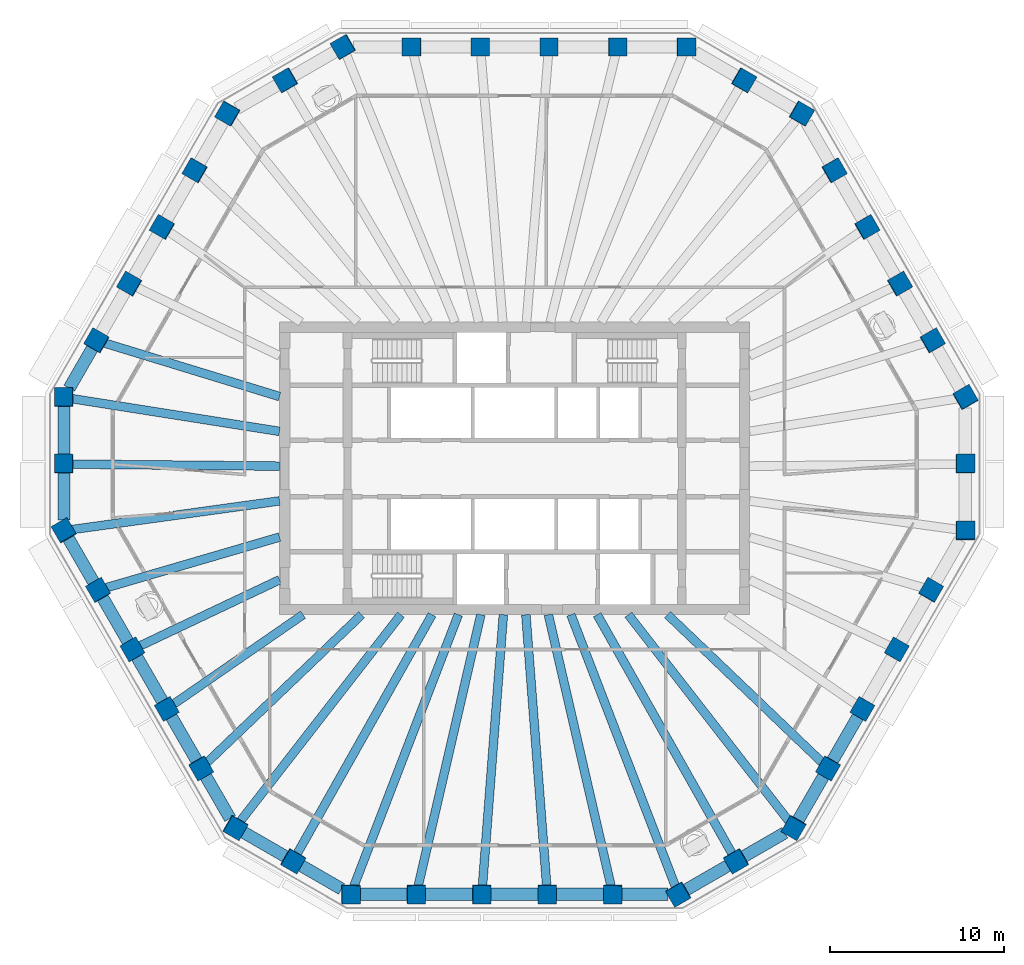
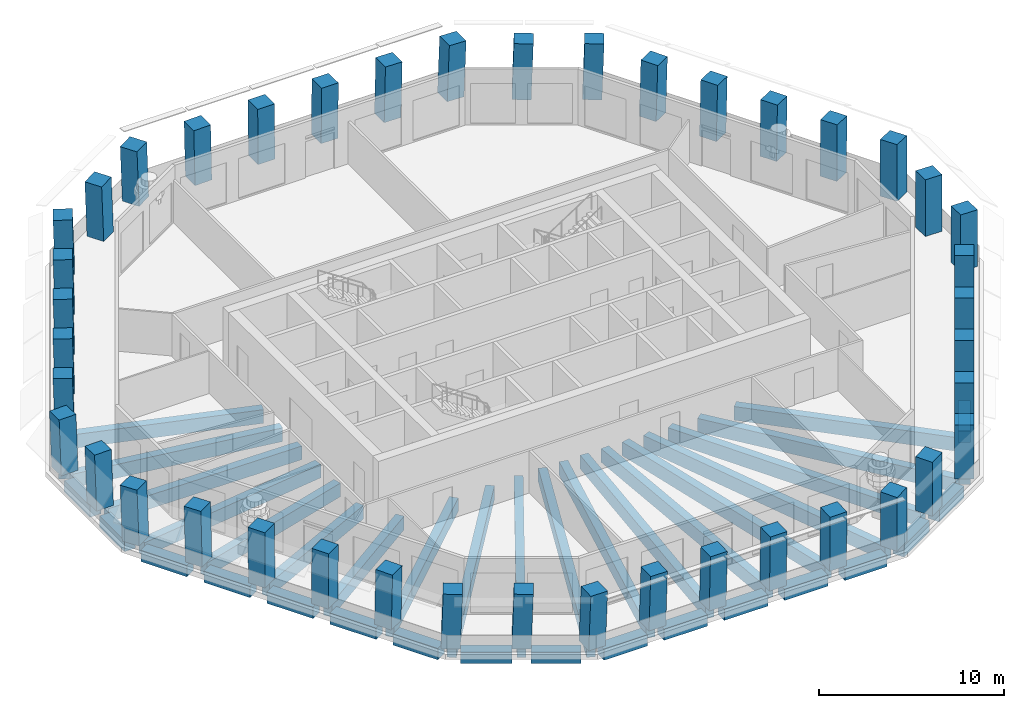
# One storey, part 1 of 12: 42 columns, 38 beams.
"""IFC4 building model written with IfcOpenShell, lengths in metres."""

from ifc_helpers import new_model, si_unit, direction, frame, origin, origin_2d, place, context, subcontext, project, spatial, rectangle, extrude, material, material_profile, profile_set, type_object, element, save


model = new_model("IFC4")

# Units and contexts
model_context = context("Model", 3, precision=1e-05, world=origin(), true_north=direction((0.0, 1.0)))
body_context = subcontext(model_context, "Body", "Model", "MODEL_VIEW")
ifc_project = project(units=[si_unit("LENGTHUNIT", "METRE"), si_unit("AREAUNIT", "SQUARE_METRE"), si_unit("VOLUMEUNIT", "CUBIC_METRE"), si_unit("PLANEANGLEUNIT", "RADIAN"), si_unit("MASSUNIT", "GRAM", prefix="KILO")], contexts=[model_context])

# Site, building, storey
site_placement = place(None, origin())
site = spatial("IfcSite", under=ifc_project, at=site_placement, CompositionType="ELEMENT")
building_placement = place(site_placement, origin())
building = spatial("IfcBuilding", under=site, at=building_placement, Name="Frailejon Research Tower", CompositionType="ELEMENT")
storey_placement = place(building_placement, frame((0.0, 0.0, 219.39990234375)))
storey = spatial("IfcBuildingStorey", under=building, at=storey_placement, Name="L47", CompositionType="ELEMENT", Elevation=219.39990234375)

# Columns
ifc_material_1 = material(Name="Concrete C60/75", Category="concrete")
ifc_material_profile_1 = material_profile(ifc_material_1, rectangle(XDim=1.050048828125, YDim=1.050048828125, at=origin_2d()), Name="Column 1050")
ifc_profile_set_1 = profile_set([ifc_material_profile_1], Name="Concrete C60/75")
column_type = type_object("IfcColumnType", Name="Column 1050", PredefinedType="COLUMN", material=ifc_profile_set_1)
for number, where, z_axis, x_axis, name in (
    (1, (25.87939453125, -3.5751953125, 0.0), (0.018180813073, 0.031348534306, 0.999343147989), (0.001220989704, 0.999506909957, -0.031375884554), "Column C01"),
    (2, (25.87939453125, 0.25146484375, 0.0), (0.018180774937, 0.031415309633, 0.999341051765), (0.000296666943, 0.999506040608, -0.031425893418), "Column C02"),
    (3, (25.87939453125, 4.078125, 0.0), (0.018180774937, 0.031415309633, 0.999341051765), (-0.49966041491, 0.866031531678, -0.018134384793), "Column C03"),
):
    element("IfcColumn", number, at=place(storey_placement, frame(where, z_axis=z_axis, x_axis=x_axis)), inside=storey, type_object=column_type, Name=name, PredefinedType="COLUMN", context=body_context, shape_type="SweptSolid", body=[
        extrude(rectangle(XDim=1.050048828125, YDim=1.050048828125, at=origin_2d()), origin(), (0.0, 0.0, 1.0), 3.652587890625),
    ])
column_1_placement = place(storey_placement, frame((23.997802734375, 7.337158203125, 0.0), z_axis=(0.021792492936, 0.025134899828, 0.999446508855), x_axis=(-0.500091534958, 0.865904297285, -0.010872194193)))
element("IfcColumn", 4, at=column_1_placement, inside=storey, type_object=column_type, Name="Column C04", PredefinedType="COLUMN", context=body_context, shape_type="SweptSolid", body=[
    extrude(rectangle(XDim=1.050048828125, YDim=1.050048828125, at=origin_2d()), origin(), (0.0, 0.0, 1.0), 3.652099609375),
])
column_2_placement = place(storey_placement, frame((22.1162109375, 10.59619140625, 0.0), z_axis=(0.025403639223, 0.018852174371, 0.999499500068), x_axis=(-0.500083888167, 0.865969385556, -0.003623268626)))
element("IfcColumn", 5, at=column_2_placement, inside=storey, type_object=column_type, Name="Column C05", PredefinedType="COLUMN", context=body_context, shape_type="SweptSolid", body=[
    extrude(rectangle(XDim=1.050048828125, YDim=1.050048828125, at=origin_2d()), origin(), (0.0, 0.0, 1.0), 3.65185546875),
])
for number, where, z_axis, x_axis, name in (
    (6, (20.234619140625, 13.855224609375, 0.0), (0.029080439829, 0.012568098133, 0.999498059492), (-0.499394170317, 0.866367268157, 0.00363583825), "Column C06"),
    (7, (18.35302734375, 17.1142578125, 0.0), (0.032688717128, 0.006283720675, 0.99944582776), (-0.499189907536, 0.866424302438, 0.010879538516), "Column C07"),
):
    element("IfcColumn", number, at=place(storey_placement, frame(where, z_axis=z_axis, x_axis=x_axis)), inside=storey, type_object=column_type, Name=name, PredefinedType="COLUMN", context=body_context, shape_type="SweptSolid", body=[
        extrude(rectangle(XDim=1.050048828125, YDim=1.050048828125, at=origin_2d()), origin(), (0.0, 0.0, 1.0), 3.652099609375),
    ])
for number, where, z_axis, x_axis, name in (
    (8, (16.471435546875, 20.373291015625, 0.0), (0.036294711627, 0.0, 0.999341129899), (-0.865312619905, 0.500246354177, 0.031426978303), "Column C08"),
    (9, (13.157470703125, 22.28662109375, 0.0), (0.036294711627, 0.0, 0.999341129899), (-0.865312619905, 0.500246354177, 0.031426978303), "Column C09"),
    (10, (9.843505859375, 24.199951171875, 0.0), (0.036227958345, 0.0, 0.999343552055), (-0.999343552055, 0.0, 0.036227958345), "Column C10"),
):
    element("IfcColumn", number, at=place(storey_placement, frame(where, z_axis=z_axis, x_axis=x_axis)), inside=storey, type_object=column_type, Name=name, PredefinedType="COLUMN", context=body_context, shape_type="SweptSolid", body=[
        extrude(rectangle(XDim=1.050048828125, YDim=1.050048828125, at=origin_2d()), origin(), (0.0, 0.0, 1.0), 3.652587890625),
    ])
column_3_placement = place(storey_placement, frame((5.906005859375, 24.199951171875, 0.0), z_axis=(0.021799380047, 0.0, 0.99976236528), x_axis=(-0.99976236528, 0.0, 0.021799380047)))
element("IfcColumn", 11, at=column_3_placement, inside=storey, type_object=column_type, Name="Column C11", PredefinedType="COLUMN", context=body_context, shape_type="SweptSolid", body=[
    extrude(rectangle(XDim=1.050048828125, YDim=1.050048828125, at=origin_2d()), origin(), (0.0, 0.0, 1.0), 3.651123046875),
])
for number, where, z_axis, x_axis, name in (
    (12, (1.96875, 24.199951171875, 0.0), (0.007223408626, 0.0, 0.999973910844), (-0.999973910844, 0.0, 0.007223408626), "Column C12"),
    (13, (-1.96875, 24.199951171875, 0.0), (-0.007223408626, 0.0, 0.999973910844), (-0.999973910844, 0.0, -0.007223408626), "Column C13"),
):
    element("IfcColumn", number, at=place(storey_placement, frame(where, z_axis=z_axis, x_axis=x_axis)), inside=storey, type_object=column_type, Name=name, PredefinedType="COLUMN", context=body_context, shape_type="SweptSolid", body=[
        extrude(rectangle(XDim=1.050048828125, YDim=1.050048828125, at=origin_2d()), origin(), (0.0, 0.0, 1.0), 3.650146484375),
    ])
column_4_placement = place(storey_placement, frame((-5.906005859375, 24.199951171875, 0.0), z_axis=(-0.021799380047, 0.0, 0.99976236528), x_axis=(-0.99976236528, 0.0, -0.021799380047)))
element("IfcColumn", 14, at=column_4_placement, inside=storey, type_object=column_type, Name="Column C14", PredefinedType="COLUMN", context=body_context, shape_type="SweptSolid", body=[
    extrude(rectangle(XDim=1.050048828125, YDim=1.050048828125, at=origin_2d()), origin(), (0.0, 0.0, 1.0), 3.651123046875),
])
for number, where, z_axis, x_axis, name in (
    (15, (-9.843505859375, 24.199951171875, 0.0), (-0.036227958345, 0.0, 0.999343552055), (-0.865314717209, -0.500246354177, -0.031369177763), "Column C15"),
    (16, (-13.157470703125, 22.28662109375, 0.0), (-0.036294711627, 0.0, 0.999341129899), (-0.865312619905, -0.500246354177, -0.031426978303), "Column C16"),
    (17, (-16.471435546875, 20.373291015625, 0.0), (-0.036294711627, 0.0, 0.999341129899), (-0.499424332648, -0.866167613071, -0.018138412991), "Column C17"),
):
    element("IfcColumn", number, at=place(storey_placement, frame(where, z_axis=z_axis, x_axis=x_axis)), inside=storey, type_object=column_type, Name=name, PredefinedType="COLUMN", context=body_context, shape_type="SweptSolid", body=[
        extrude(rectangle(XDim=1.050048828125, YDim=1.050048828125, at=origin_2d()), origin(), (0.0, 0.0, 1.0), 3.652587890625),
    ])
for number, where, z_axis, x_axis, name in (
    (18, (-18.35302734375, 17.1142578125, 0.0), (-0.032688717128, 0.006283720675, 0.99944582776), (-0.499189907536, -0.866424302438, -0.010879538516), "Column C18"),
    (19, (-20.234619140625, 13.855224609375, 0.0), (-0.029080439829, 0.012568098133, 0.999498059492), (-0.499394170317, -0.866367268157, -0.00363583825), "Column C19"),
):
    element("IfcColumn", number, at=place(storey_placement, frame(where, z_axis=z_axis, x_axis=x_axis)), inside=storey, type_object=column_type, Name=name, PredefinedType="COLUMN", context=body_context, shape_type="SweptSolid", body=[
        extrude(rectangle(XDim=1.050048828125, YDim=1.050048828125, at=origin_2d()), origin(), (0.0, 0.0, 1.0), 3.652099609375),
    ])
column_5_placement = place(storey_placement, frame((-22.1162109375, 10.59619140625, 0.0), z_axis=(-0.025403639223, 0.018852174371, 0.999499500068), x_axis=(-0.500083888167, -0.865969385556, 0.003623268626)))
element("IfcColumn", 20, at=column_5_placement, inside=storey, type_object=column_type, Name="Column C20", PredefinedType="COLUMN", context=body_context, shape_type="SweptSolid", body=[
    extrude(rectangle(XDim=1.050048828125, YDim=1.050048828125, at=origin_2d()), origin(), (0.0, 0.0, 1.0), 3.65185546875),
])
column_6_placement = place(storey_placement, frame((-23.997802734375, 7.337158203125, 0.0), z_axis=(-0.021792492936, 0.025134899828, 0.999446508855), x_axis=(-0.500091534958, -0.865904297285, 0.010872194193)))
element("IfcColumn", 21, at=column_6_placement, inside=storey, type_object=column_type, Name="Column C21", PredefinedType="COLUMN", context=body_context, shape_type="SweptSolid", body=[
    extrude(rectangle(XDim=1.050048828125, YDim=1.050048828125, at=origin_2d()), origin(), (0.0, 0.0, 1.0), 3.652099609375),
])
for number, where, z_axis, x_axis, name in (
    (22, (-25.87939453125, 4.078125, 0.0), (-0.018180774937, 0.031415309633, 0.999341051765), (0.000296666943, -0.999506040608, 0.031425893418), "Column C22"),
    (23, (-25.87939453125, 0.25146484375, 0.0), (-0.018180774937, 0.031415309633, 0.999341051765), (0.000296666943, -0.999506040608, 0.031425893418), "Column C23"),
    (24, (-25.87939453125, -3.5751953125, 0.0), (-0.018180813073, 0.031348534306, 0.999343147989), (0.501220532568, -0.864560411539, 0.036239102259), "Column C24"),
):
    element("IfcColumn", number, at=place(storey_placement, frame(where, z_axis=z_axis, x_axis=x_axis)), inside=storey, type_object=column_type, Name=name, PredefinedType="COLUMN", context=body_context, shape_type="SweptSolid", body=[
        extrude(rectangle(XDim=1.050048828125, YDim=1.050048828125, at=origin_2d()), origin(), (0.0, 0.0, 1.0), 3.652587890625),
    ])
column_7_placement = place(storey_placement, frame((-23.910888671875, -6.985107421875, 0.0), z_axis=(-0.010899708203, 0.018790294509, 0.999764032756), x_axis=(0.501923519979, -0.864639174068, 0.021722770495)))
element("IfcColumn", 25, at=column_7_placement, inside=storey, type_object=column_type, Name="Column C25", PredefinedType="COLUMN", context=body_context, shape_type="SweptSolid", body=[
    extrude(rectangle(XDim=1.050048828125, YDim=1.050048828125, at=origin_2d()), origin(), (0.0, 0.0, 1.0), 3.651123046875),
])
for number, where, z_axis, x_axis, name in (
    (26, (-21.942138671875, -10.39501953125, 0.0), (-0.003611703602, 0.006287039604, 0.99997371402), (0.499382074229, -0.866351529566, 0.007250597003), "Column C26"),
    (27, (-19.973388671875, -13.804931640625, 0.0), (0.003611703602, -0.006287039604, 0.99997371402), (0.499382074229, -0.866351529566, -0.007250597003), "Column C27"),
):
    element("IfcColumn", number, at=place(storey_placement, frame(where, z_axis=z_axis, x_axis=x_axis)), inside=storey, type_object=column_type, Name=name, PredefinedType="COLUMN", context=body_context, shape_type="SweptSolid", body=[
        extrude(rectangle(XDim=1.050048828125, YDim=1.050048828125, at=origin_2d()), origin(), (0.0, 0.0, 1.0), 3.650146484375),
    ])
column_8_placement = place(storey_placement, frame((-18.0048828125, -17.21484375, 0.0), z_axis=(0.010899694483, -0.018857140148, 0.999762774325), x_axis=(0.499728940012, -0.865907957958, -0.021780607409)))
element("IfcColumn", 28, at=column_8_placement, inside=storey, type_object=column_type, Name="Column C28", PredefinedType="COLUMN", context=body_context, shape_type="SweptSolid", body=[
    extrude(rectangle(XDim=1.050048828125, YDim=1.050048828125, at=origin_2d()), origin(), (0.0, 0.0, 1.0), 3.651123046875),
])
for number, where, z_axis, x_axis, name in (
    (29, (-16.0361328125, -20.624755859375, 0.0), (0.018113955825, -0.03141534774, 0.999342263957), (0.86551973078, -0.499889444942, -0.031402841694), "Column C29"),
    (30, (-12.721923828125, -22.5380859375, 0.0), (0.018113955825, -0.03141534774, 0.999342263957), (0.865990228712, -0.499075001782, -0.031385767027), "Column C30"),
    (31, (-9.407958984375, -24.451416015625, 0.0), (0.018113955825, -0.03141534774, 0.999342263957), (0.999835664746, -0.000157319932, -0.01812784466), "Column C31"),
):
    element("IfcColumn", number, at=place(storey_placement, frame(where, z_axis=z_axis, x_axis=x_axis)), inside=storey, type_object=column_type, Name=name, PredefinedType="COLUMN", context=body_context, shape_type="SweptSolid", body=[
        extrude(rectangle(XDim=1.050048828125, YDim=1.050048828125, at=origin_2d()), origin(), (0.0, 0.0, 1.0), 3.652587890625),
    ])
column_9_placement = place(storey_placement, frame((-5.644775390625, -24.451416015625, 0.0), z_axis=(0.010896250923, -0.031418637632, 0.999446917512), x_axis=(0.999940412198, 0.001008235725, -0.010869936218)))
element("IfcColumn", 32, at=column_9_placement, inside=storey, type_object=column_type, Name="Column C32", PredefinedType="COLUMN", context=body_context, shape_type="SweptSolid", body=[
    extrude(rectangle(XDim=1.050048828125, YDim=1.050048828125, at=origin_2d()), origin(), (0.0, 0.0, 1.0), 3.652099609375),
])
for number, where, z_axis, x_axis, name in (
    (33, (-1.881591796875, -24.451416015625, 0.0), (0.003609991708, -0.031420298201, 0.999499741281), (0.999993380446, -0.000341349484, -0.003622505304), "Column C33"),
    (34, (1.881591796875, -24.451416015625, 0.0), (-0.003609991708, -0.031420298201, 0.999499741281), (0.999993380446, 0.000341349484, 0.003622505304), "Column C34"),
):
    element("IfcColumn", number, at=place(storey_placement, frame(where, z_axis=z_axis, x_axis=x_axis)), inside=storey, type_object=column_type, Name=name, PredefinedType="COLUMN", context=body_context, shape_type="SweptSolid", body=[
        extrude(rectangle(XDim=1.050048828125, YDim=1.050048828125, at=origin_2d()), origin(), (0.0, 0.0, 1.0), 3.65185546875),
    ])
column_10_placement = place(storey_placement, frame((5.644775390625, -24.451416015625, 0.0), z_axis=(-0.010896250923, -0.031418637632, 0.999446917512), x_axis=(0.999940412198, -0.001008235725, 0.010869936218)))
element("IfcColumn", 35, at=column_10_placement, inside=storey, type_object=column_type, Name="Column C35", PredefinedType="COLUMN", context=body_context, shape_type="SweptSolid", body=[
    extrude(rectangle(XDim=1.050048828125, YDim=1.050048828125, at=origin_2d()), origin(), (0.0, 0.0, 1.0), 3.652099609375),
])
for number, where, z_axis, x_axis, name in (
    (36, (9.407958984375, -24.451416015625, 0.0), (-0.018113955825, -0.03141534774, 0.999342263957), (0.86551973078, 0.499889444942, 0.031402841694), "Column C36"),
    (37, (12.721923828125, -22.5380859375, 0.0), (-0.018113955825, -0.03141534774, 0.999342263957), (0.865990228712, 0.499075001782, 0.031385767027), "Column C37"),
    (38, (16.0361328125, -20.624755859375, 0.0), (-0.018113955825, -0.03141534774, 0.999342263957), (0.499040514287, 0.865819568771, 0.036263472456), "Column C38"),
):
    element("IfcColumn", number, at=place(storey_placement, frame(where, z_axis=z_axis, x_axis=x_axis)), inside=storey, type_object=column_type, Name=name, PredefinedType="COLUMN", context=body_context, shape_type="SweptSolid", body=[
        extrude(rectangle(XDim=1.050048828125, YDim=1.050048828125, at=origin_2d()), origin(), (0.0, 0.0, 1.0), 3.652587890625),
    ])
column_11_placement = place(storey_placement, frame((18.0048828125, -17.21484375, 0.0), z_axis=(-0.010899694483, -0.018857140148, 0.999762774325), x_axis=(0.499728940012, 0.865907957958, 0.021780607409)))
element("IfcColumn", 39, at=column_11_placement, inside=storey, type_object=column_type, Name="Column C39", PredefinedType="COLUMN", context=body_context, shape_type="SweptSolid", body=[
    extrude(rectangle(XDim=1.050048828125, YDim=1.050048828125, at=origin_2d()), origin(), (0.0, 0.0, 1.0), 3.651123046875),
])
for number, where, z_axis, x_axis, name in (
    (40, (19.973388671875, -13.804931640625, 0.0), (-0.003611703602, -0.006287039604, 0.99997371402), (0.499382074229, 0.866351529566, 0.007250597003), "Column C40"),
    (41, (21.942138671875, -10.39501953125, 0.0), (0.003611703602, 0.006287039604, 0.99997371402), (0.499382074229, 0.866351529566, -0.007250597003), "Column C41"),
):
    element("IfcColumn", number, at=place(storey_placement, frame(where, z_axis=z_axis, x_axis=x_axis)), inside=storey, type_object=column_type, Name=name, PredefinedType="COLUMN", context=body_context, shape_type="SweptSolid", body=[
        extrude(rectangle(XDim=1.050048828125, YDim=1.050048828125, at=origin_2d()), origin(), (0.0, 0.0, 1.0), 3.650146484375),
    ])
column_12_placement = place(storey_placement, frame((23.910888671875, -6.985107421875, 0.0), z_axis=(0.010899708203, 0.018790294509, 0.999764032756), x_axis=(0.501923519979, 0.864639174068, -0.021722770495)))
element("IfcColumn", 42, at=column_12_placement, inside=storey, type_object=column_type, Name="Column C42", PredefinedType="COLUMN", context=body_context, shape_type="SweptSolid", body=[
    extrude(rectangle(XDim=1.050048828125, YDim=1.050048828125, at=origin_2d()), origin(), (0.0, 0.0, 1.0), 3.651123046875),
])

# Beams
ifc_material_2 = material(Name="Concrete C60/75", Category="concrete")
ifc_material_profile_2 = material_profile(ifc_material_2, rectangle(XDim=0.5, YDim=0.89990234375, at=origin_2d()), Name="Girder 500x900")
ifc_profile_set_2 = profile_set([ifc_material_profile_2], Name="Concrete C60/75")
beam_type_1 = type_object("IfcBeamType", Name="Girder 500x900", PredefinedType="BEAM", material=ifc_profile_set_2)
beam_1_placement = place(storey_placement, frame((-23.626220703125, 7.223388671875, -0.75), z_axis=(0.956303411708, -0.292376101547, 0.0), x_axis=(0.292376101547, 0.956303411708, 0.0)))
element("IfcBeam", 43, at=beam_1_placement, inside=storey, type_object=beam_type_1, Name="Girder 500x900", PredefinedType="BEAM", context=body_context, shape_type="SweptSolid", body=[
    extrude(rectangle(XDim=0.5, YDim=0.89990234375, at=origin_2d()), origin(), (0.0, 0.0, 1.0), 10.5888671875),
])
beam_2_placement = place(storey_placement, frame((-25.502685546875, 4.018798828125, -0.75), z_axis=(0.987808050672, -0.155676764571, 0.0), x_axis=(0.155676764571, 0.987808050672, 0.0)))
element("IfcBeam", 44, at=beam_2_placement, inside=storey, type_object=beam_type_1, Name="Girder 500x900", PredefinedType="BEAM", context=body_context, shape_type="SweptSolid", body=[
    extrude(rectangle(XDim=0.5, YDim=0.89990234375, at=origin_2d()), origin(), (0.0, 0.0, 1.0), 12.15087890625),
])
beam_3_placement = place(storey_placement, frame((-25.50439453125, 0.247802734375, -0.75), z_axis=(0.999952750785, -0.009720915495, 0.0), x_axis=(0.009720915495, 0.999952750785, 0.0)))
element("IfcBeam", 45, at=beam_3_placement, inside=storey, type_object=beam_type_1, Name="Girder 500x900", PredefinedType="BEAM", context=body_context, shape_type="SweptSolid", body=[
    extrude(rectangle(XDim=0.5, YDim=0.89990234375, at=origin_2d()), origin(), (0.0, 0.0, 1.0), 12.0048828125),
])
beam_4_placement = place(storey_placement, frame((-25.466796875, -3.518310546875, -0.75), z_axis=(0.990590542554, 0.136858967565, 0.0), x_axis=(-0.136858967565, 0.990590542554, 0.0)))
element("IfcBeam", 46, at=beam_4_placement, inside=storey, type_object=beam_type_1, Name="Girder 500x900", PredefinedType="BEAM", context=body_context, shape_type="SweptSolid", body=[
    extrude(rectangle(XDim=0.5, YDim=0.89990234375, at=origin_2d()), origin(), (0.0, 0.0, 1.0), 12.08056640625),
])
beam_5_placement = place(storey_placement, frame((-23.5361328125, -6.875732421875, -0.75), z_axis=(0.959879611216, 0.280412431913, 0.0), x_axis=(-0.280412431913, 0.959879611216, 0.0)))
element("IfcBeam", 47, at=beam_5_placement, inside=storey, type_object=beam_type_1, Name="Girder 500x900", PredefinedType="BEAM", context=body_context, shape_type="SweptSolid", body=[
    extrude(rectangle(XDim=0.5, YDim=0.89990234375, at=origin_2d()), origin(), (0.0, 0.0, 1.0), 10.45556640625),
])
beam_6_placement = place(storey_placement, frame((-21.601806640625, -10.23388671875, -0.75), z_axis=(0.903708447911, 0.428148386863, 0.0), x_axis=(-0.428148386863, 0.903708447911, 0.0)))
element("IfcBeam", 48, at=beam_6_placement, inside=storey, type_object=beam_type_1, Name="Girder 500x900", PredefinedType="BEAM", context=body_context, shape_type="SweptSolid", body=[
    extrude(rectangle(XDim=0.5, YDim=0.89990234375, at=origin_2d()), origin(), (0.0, 0.0, 1.0), 8.965087890625),
])
beam_7_placement = place(storey_placement, frame((-19.66357421875, -13.5908203125, -0.75), z_axis=(0.822618446311, 0.568593784515, 0.0), x_axis=(-0.568593784515, 0.822618446311, 0.0)))
element("IfcBeam", 49, at=beam_7_placement, inside=storey, type_object=beam_type_1, Name="Girder 500x900", PredefinedType="BEAM", context=body_context, shape_type="SweptSolid", body=[
    extrude(rectangle(XDim=0.5, YDim=0.89990234375, at=origin_2d()), origin(), (0.0, 0.0, 1.0), 9.12939453125),
])
beam_8_placement = place(storey_placement, frame((-17.72265625, -16.945068359375, -0.75), z_axis=(0.7227837756, 0.691074246177, 0.0), x_axis=(-0.691074246177, 0.7227837756, 0.0)))
element("IfcBeam", 50, at=beam_8_placement, inside=storey, type_object=beam_type_1, Name="Girder 500x900", PredefinedType="BEAM", context=body_context, shape_type="SweptSolid", body=[
    extrude(rectangle(XDim=0.5, YDim=0.89990234375, at=origin_2d()), origin(), (0.0, 0.0, 1.0), 12.364990234375),
])
beam_9_placement = place(storey_placement, frame((-15.802978515625, -20.32470703125, -0.75), z_axis=(0.613811925176, 0.789452291473, 0.0), x_axis=(-0.789452291473, 0.613811925176, 0.0)))
element("IfcBeam", 51, at=beam_9_placement, inside=storey, type_object=beam_type_1, Name="Girder 500x900", PredefinedType="BEAM", context=body_context, shape_type="SweptSolid", body=[
    extrude(rectangle(XDim=0.5, YDim=0.89990234375, at=origin_2d()), origin(), (0.0, 0.0, 1.0), 15.105224609375),
])
beam_10_placement = place(storey_placement, frame((-12.53759765625, -22.21142578125, -0.75), z_axis=(0.491561606711, 0.870842802582, 0.0), x_axis=(-0.870842802582, 0.491561606711, 0.0)))
element("IfcBeam", 52, at=beam_10_placement, inside=storey, type_object=beam_type_1, Name="Girder 500x900", PredefinedType="BEAM", context=body_context, shape_type="SweptSolid", body=[
    extrude(rectangle(XDim=0.5, YDim=0.89990234375, at=origin_2d()), origin(), (0.0, 0.0, 1.0), 15.85986328125),
])
beam_11_placement = place(storey_placement, frame((-9.260009765625, -24.06640625, -0.75), z_axis=(0.359108698381, 0.933295742381, 0.0), x_axis=(-0.933295742381, 0.359108698381, 0.0)))
element("IfcBeam", 53, at=beam_11_placement, inside=storey, type_object=beam_type_1, Name="Girder 500x900", PredefinedType="BEAM", context=body_context, shape_type="SweptSolid", body=[
    extrude(rectangle(XDim=0.5, YDim=0.89990234375, at=origin_2d()), origin(), (0.0, 0.0, 1.0), 16.7861328125),
])
beam_12_placement = place(storey_placement, frame((-5.557373046875, -24.072509765625, -0.75), z_axis=(0.224942645533, 0.974372006074, 0.0), x_axis=(-0.974372006074, 0.224942645533, 0.0)))
element("IfcBeam", 54, at=beam_12_placement, inside=storey, type_object=beam_type_1, Name="Girder 500x900", PredefinedType="BEAM", context=body_context, shape_type="SweptSolid", body=[
    extrude(rectangle(XDim=0.5, YDim=0.89990234375, at=origin_2d()), origin(), (0.0, 0.0, 1.0), 16.084716796875),
])
for number, where, z_axis, x_axis, name in (
    (55, (-1.852783203125, -24.075927734375, -0.75), (0.076724997728, 0.997052292873, 0.0), (-0.997052292873, 0.076724997728, 0.0), "Girder 500x900"),
    (56, (1.852783203125, -24.075927734375, -0.75), (-0.076724997728, 0.997052292873, 0.0), (-0.997052292873, -0.076724997728, 0.0), "Girder 500x900"),
):
    element("IfcBeam", number, at=place(storey_placement, frame(where, z_axis=z_axis, x_axis=x_axis)), inside=storey, type_object=beam_type_1, Name=name, PredefinedType="BEAM", context=body_context, shape_type="SweptSolid", body=[
        extrude(rectangle(XDim=0.5, YDim=0.89990234375, at=origin_2d()), origin(), (0.0, 0.0, 1.0), 15.722412109375),
    ])
beam_13_placement = place(storey_placement, frame((5.557373046875, -24.072509765625, -0.75), z_axis=(-0.224942645533, 0.974372006074, 0.0), x_axis=(-0.974372006074, -0.224942645533, 0.0)))
element("IfcBeam", 57, at=beam_13_placement, inside=storey, type_object=beam_type_1, Name="Girder 500x900", PredefinedType="BEAM", context=body_context, shape_type="SweptSolid", body=[
    extrude(rectangle(XDim=0.5, YDim=0.89990234375, at=origin_2d()), origin(), (0.0, 0.0, 1.0), 16.084716796875),
])
beam_14_placement = place(storey_placement, frame((9.27099609375, -24.095458984375, -0.75), z_axis=(-0.359098731436, 0.933299577349, 0.0), x_axis=(-0.933299577349, -0.359098731436, 0.0)))
element("IfcBeam", 58, at=beam_14_placement, inside=storey, type_object=beam_type_1, Name="Girder 500x900", PredefinedType="BEAM", context=body_context, shape_type="SweptSolid", body=[
    extrude(rectangle(XDim=0.5, YDim=0.89990234375, at=origin_2d()), origin(), (0.0, 0.0, 1.0), 16.8173828125),
])
beam_15_placement = place(storey_placement, frame((12.53759765625, -22.21142578125, -0.75), z_axis=(-0.491561606711, 0.870842802582, 0.0), x_axis=(-0.870842802582, -0.491561606711, 0.0)))
element("IfcBeam", 59, at=beam_15_placement, inside=storey, type_object=beam_type_1, Name="Girder 500x900", PredefinedType="BEAM", context=body_context, shape_type="SweptSolid", body=[
    extrude(rectangle(XDim=0.5, YDim=0.89990234375, at=origin_2d()), origin(), (0.0, 0.0, 1.0), 15.85986328125),
])
beam_16_placement = place(storey_placement, frame((15.7802734375, -20.295654296875, -0.75), z_axis=(-0.613807122888, 0.789456025306, 0.0), x_axis=(-0.789456025306, -0.613807122888, 0.0)))
element("IfcBeam", 60, at=beam_16_placement, inside=storey, type_object=beam_type_1, Name="Girder 500x900", PredefinedType="BEAM", context=body_context, shape_type="SweptSolid", body=[
    extrude(rectangle(XDim=0.5, YDim=0.89990234375, at=origin_2d()), origin(), (0.0, 0.0, 1.0), 15.068359375),
])
beam_17_placement = place(storey_placement, frame((17.72265625, -16.945068359375, -0.75), z_axis=(-0.7227837756, 0.691074246177, 0.0), x_axis=(-0.691074246177, -0.7227837756, 0.0)))
element("IfcBeam", 61, at=beam_17_placement, inside=storey, type_object=beam_type_1, Name="Girder 500x900", PredefinedType="BEAM", context=body_context, shape_type="SweptSolid", body=[
    extrude(rectangle(XDim=0.5, YDim=0.89990234375, at=origin_2d()), origin(), (0.0, 0.0, 1.0), 12.364990234375),
])
ifc_material_3 = material(Name="Concrete C60/75", Category="concrete")
ifc_material_profile_3 = material_profile(ifc_material_3, rectangle(XDim=0.699951171875, YDim=0.75, at=origin_2d()), Name="Spandrel 700x750")
ifc_profile_set_3 = profile_set([ifc_material_profile_3], Name="Concrete C60/75")
beam_type_2 = type_object("IfcBeamType", Name="Spandrel 700x750", PredefinedType="BEAM", material=ifc_profile_set_3)
beam_18_placement = place(storey_placement, frame((-24.260498046875, 6.882568359375, -0.724853515625), z_axis=(-0.499949948743, -0.866054298963, 0.0), x_axis=(0.866054298963, -0.499949948743, 0.0)))
element("IfcBeam", 62, at=beam_18_placement, inside=storey, type_object=beam_type_2, Name="Spandrel 700x750", PredefinedType="BEAM", context=body_context, shape_type="SweptSolid", body=[
    extrude(rectangle(XDim=0.699951171875, YDim=0.75, at=origin_2d()), origin(), (0.0, 0.0, 1.0), 2.632080078125),
])
beam_19_placement = place(storey_placement, frame((-25.87939453125, 3.552978515625, -0.724853515625), z_axis=(0.0, -1.0, 0.0), x_axis=(1.0, 0.0, 0.0)))
element("IfcBeam", 63, at=beam_19_placement, inside=storey, type_object=beam_type_2, Name="Spandrel 700x750", PredefinedType="BEAM", context=body_context, shape_type="SweptSolid", body=[
    extrude(rectangle(XDim=0.699951171875, YDim=0.75, at=origin_2d()), origin(), (0.0, 0.0, 1.0), 2.776611328125),
])
beam_20_placement = place(storey_placement, frame((-25.87939453125, -0.273681640625, -0.724853515625), z_axis=(0.0, -1.0, 0.0), x_axis=(1.0, 0.0, 0.0)))
element("IfcBeam", 64, at=beam_20_placement, inside=storey, type_object=beam_type_2, Name="Spandrel 700x750", PredefinedType="BEAM", context=body_context, shape_type="SweptSolid", body=[
    extrude(rectangle(XDim=0.699951171875, YDim=0.75, at=origin_2d()), origin(), (0.0, 0.0, 1.0), 2.6953125),
])
beam_21_placement = place(storey_placement, frame((-25.616943359375, -4.030029296875, -0.724853515625), z_axis=(0.499985955615, -0.866033512162, 0.0), x_axis=(0.866033512162, 0.499985955615, 0.0)))
element("IfcBeam", 65, at=beam_21_placement, inside=storey, type_object=beam_type_2, Name="Spandrel 700x750", PredefinedType="BEAM", context=body_context, shape_type="SweptSolid", body=[
    extrude(rectangle(XDim=0.699951171875, YDim=0.75, at=origin_2d()), origin(), (0.0, 0.0, 1.0), 2.88720703125),
])
beam_22_placement = place(storey_placement, frame((-23.6484375, -7.43994140625, -0.724853515625), z_axis=(0.500049370584, -0.865996897788, 0.0), x_axis=(0.865996897788, 0.500049370584, 0.0)))
element("IfcBeam", 66, at=beam_22_placement, inside=storey, type_object=beam_type_2, Name="Spandrel 700x750", PredefinedType="BEAM", context=body_context, shape_type="SweptSolid", body=[
    extrude(rectangle(XDim=0.699951171875, YDim=0.75, at=origin_2d()), origin(), (0.0, 0.0, 1.0), 2.887451171875),
])
beam_23_placement = place(storey_placement, frame((-21.6796875, -10.849853515625, -0.724853515625), z_axis=(0.50002257145, -0.86601237176, 0.0), x_axis=(0.86601237176, 0.50002257145, 0.0)))
element("IfcBeam", 67, at=beam_23_placement, inside=storey, type_object=beam_type_2, Name="Spandrel 700x750", PredefinedType="BEAM", context=body_context, shape_type="SweptSolid", body=[
    extrude(rectangle(XDim=0.699951171875, YDim=0.75, at=origin_2d()), origin(), (0.0, 0.0, 1.0), 2.886962890625),
])
beam_24_placement = place(storey_placement, frame((-19.7109375, -14.259521484375, -0.724853515625), z_axis=(0.499985955615, -0.866033512162, 0.0), x_axis=(0.866033512162, 0.499985955615, 0.0)))
element("IfcBeam", 68, at=beam_24_placement, inside=storey, type_object=beam_type_2, Name="Spandrel 700x750", PredefinedType="BEAM", context=body_context, shape_type="SweptSolid", body=[
    extrude(rectangle(XDim=0.699951171875, YDim=0.75, at=origin_2d()), origin(), (0.0, 0.0, 1.0), 2.88720703125),
])
beam_25_placement = place(storey_placement, frame((-17.7421875, -17.66943359375, -0.724853515625), z_axis=(0.500003616288, -0.866023315909, 0.0), x_axis=(0.866023315909, 0.500003616288, 0.0)))
element("IfcBeam", 69, at=beam_25_placement, inside=storey, type_object=beam_type_2, Name="Spandrel 700x750", PredefinedType="BEAM", context=body_context, shape_type="SweptSolid", body=[
    extrude(rectangle(XDim=0.699951171875, YDim=0.75, at=origin_2d()), origin(), (0.0, 0.0, 1.0), 2.80615234375),
])
beam_26_placement = place(storey_placement, frame((-15.581298828125, -20.88720703125, -0.724853515625), z_axis=(0.866037694333, -0.499978711542, 0.0), x_axis=(0.499978711542, 0.866037694333, 0.0)))
element("IfcBeam", 70, at=beam_26_placement, inside=storey, type_object=beam_type_2, Name="Spandrel 700x750", PredefinedType="BEAM", context=body_context, shape_type="SweptSolid", body=[
    extrude(rectangle(XDim=0.699951171875, YDim=0.75, at=origin_2d()), origin(), (0.0, 0.0, 1.0), 2.7763671875),
])
beam_27_placement = place(storey_placement, frame((-12.267333984375, -22.800537109375, -0.724853515625), z_axis=(0.866027204995, -0.499996880198, 0.0), x_axis=(0.499996880198, 0.866027204995, 0.0)))
element("IfcBeam", 71, at=beam_27_placement, inside=storey, type_object=beam_type_2, Name="Spandrel 700x750", PredefinedType="BEAM", context=body_context, shape_type="SweptSolid", body=[
    extrude(rectangle(XDim=0.699951171875, YDim=0.75, at=origin_2d()), origin(), (0.0, 0.0, 1.0), 2.6953125),
])
beam_28_placement = place(storey_placement, frame((-8.883056640625, -24.451416015625, -0.724853515625), z_axis=(1.0, 0.0, 0.0), x_axis=(0.0, 1.0, 0.0)))
element("IfcBeam", 72, at=beam_28_placement, inside=storey, type_object=beam_type_2, Name="Spandrel 700x750", PredefinedType="BEAM", context=body_context, shape_type="SweptSolid", body=[
    extrude(rectangle(XDim=0.699951171875, YDim=0.75, at=origin_2d()), origin(), (0.0, 0.0, 1.0), 2.713134765625),
])
for number, where, z_axis, x_axis, name in (
    (73, (-5.119873046875, -24.451416015625, -0.724853515625), (1.0, 0.0, 0.0), (0.0, 1.0, 0.0), "Spandrel 700x750"),
    (74, (-1.356689453125, -24.451416015625, -0.724853515625), (1.0, 0.0, 0.0), (0.0, 1.0, 0.0), "Spandrel 700x750"),
    (75, (2.406494140625, -24.451416015625, -0.724853515625), (1.0, 0.0, 0.0), (0.0, 1.0, 0.0), "Spandrel 700x750"),
):
    element("IfcBeam", number, at=place(storey_placement, frame(where, z_axis=z_axis, x_axis=x_axis)), inside=storey, type_object=beam_type_2, Name=name, PredefinedType="BEAM", context=body_context, shape_type="SweptSolid", body=[
        extrude(rectangle(XDim=0.699951171875, YDim=0.75, at=origin_2d()), origin(), (0.0, 0.0, 1.0), 2.71337890625),
    ])
beam_29_placement = place(storey_placement, frame((6.169921875, -24.451416015625, -0.724853515625), z_axis=(1.0, 0.0, 0.0), x_axis=(0.0, 1.0, 0.0)))
element("IfcBeam", 76, at=beam_29_placement, inside=storey, type_object=beam_type_2, Name="Spandrel 700x750", PredefinedType="BEAM", context=body_context, shape_type="SweptSolid", body=[
    extrude(rectangle(XDim=0.699951171875, YDim=0.75, at=origin_2d()), origin(), (0.0, 0.0, 1.0), 2.6318359375),
])
beam_30_placement = place(storey_placement, frame((9.86279296875, -24.18896484375, -0.724853515625), z_axis=(0.865999619105, 0.500044657716, 0.0), x_axis=(-0.500044657716, 0.865999619105, 0.0)))
element("IfcBeam", 77, at=beam_30_placement, inside=storey, type_object=beam_type_2, Name="Spandrel 700x750", PredefinedType="BEAM", context=body_context, shape_type="SweptSolid", body=[
    extrude(rectangle(XDim=0.699951171875, YDim=0.75, at=origin_2d()), origin(), (0.0, 0.0, 1.0), 2.776611328125),
])
beam_31_placement = place(storey_placement, frame((13.1767578125, -22.275390625, -0.724853515625), z_axis=(0.866027204995, 0.499996880198, 0.0), x_axis=(-0.499996880198, 0.866027204995, 0.0)))
element("IfcBeam", 78, at=beam_31_placement, inside=storey, type_object=beam_type_2, Name="Spandrel 700x750", PredefinedType="BEAM", context=body_context, shape_type="SweptSolid", body=[
    extrude(rectangle(XDim=0.699951171875, YDim=0.75, at=origin_2d()), origin(), (0.0, 0.0, 1.0), 2.6953125),
])
for number, where, z_axis, x_axis, name in (
    (79, (16.298583984375, -20.169921875, -0.724853515625), (0.499985955615, 0.866033512162, 0.0), (-0.866033512162, 0.499985955615, 0.0), "Spandrel 700x750"),
    (80, (18.267333984375, -16.760009765625, -0.724853515625), (0.499985955615, 0.866033512162, 0.0), (-0.866033512162, 0.499985955615, 0.0), "Spandrel 700x750"),
):
    element("IfcBeam", number, at=place(storey_placement, frame(where, z_axis=z_axis, x_axis=x_axis)), inside=storey, type_object=beam_type_2, Name=name, PredefinedType="BEAM", context=body_context, shape_type="SweptSolid", body=[
        extrude(rectangle(XDim=0.699951171875, YDim=0.75, at=origin_2d()), origin(), (0.0, 0.0, 1.0), 2.88720703125),
    ])

save(model, "model.ifc")
